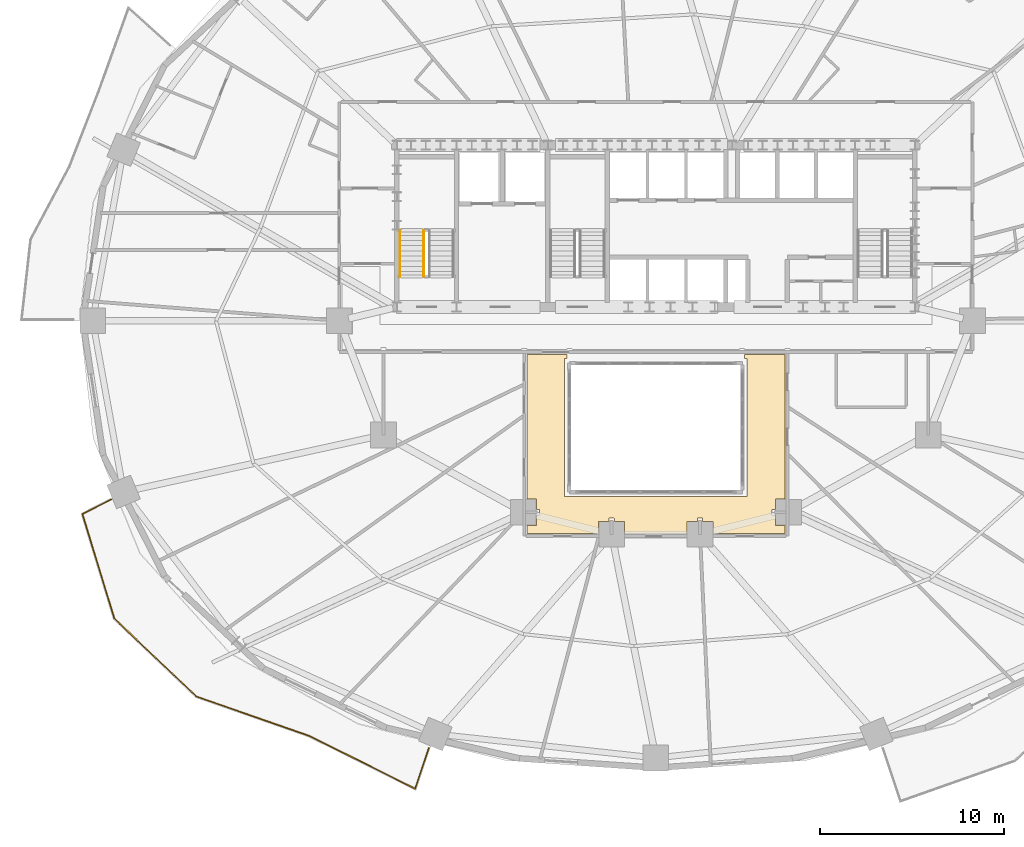
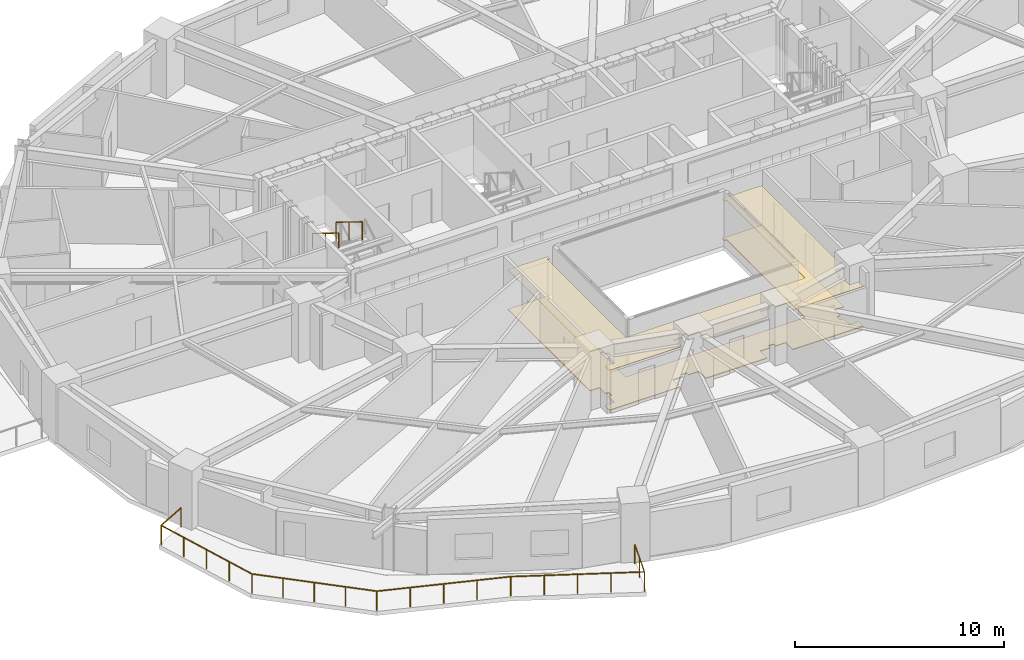
# One storey, part 14 of 17: 3 railings, 2 coverings.
"""IFC4 building model written with IfcOpenShell, lengths in metres."""

from ifc_helpers import new_model, si_unit, direction, frame, origin, origin_2d, place, context, subcontext, project, spatial, polyline, rectangle, outline, extrude, material, layer, layer_set, type_object, element, save


model = new_model("IFC4")

# Units and contexts
model_context = context("Model", 3, precision=1e-05, world=origin(), true_north=direction((0.0, 1.0)))
body_context = subcontext(model_context, "Body", "Model", "MODEL_VIEW")
ifc_project = project(units=[si_unit("LENGTHUNIT", "METRE"), si_unit("AREAUNIT", "SQUARE_METRE"), si_unit("VOLUMEUNIT", "CUBIC_METRE"), si_unit("PLANEANGLEUNIT", "RADIAN"), si_unit("MASSUNIT", "GRAM", prefix="KILO")], contexts=[model_context])

# Site, building, storey
site_placement = place(None, origin())
site = spatial("IfcSite", under=ifc_project, at=site_placement, CompositionType="ELEMENT")
building_placement = place(site_placement, origin())
building = spatial("IfcBuilding", under=site, at=building_placement, Name="Haldorwick Loom Tower", CompositionType="ELEMENT")
storey_placement = place(building_placement, frame((0.0, 0.0, 37.800048828125)))
storey = spatial("IfcBuildingStorey", under=building, at=storey_placement, Name="L09", CompositionType="ELEMENT", Elevation=37.800048828125)

# Coverings
ifc_material_1 = material(Name="Mineral Fibre Acoustic Ceiling Tile")
ifc_layer_1 = layer(ifc_material_1, 0.054931640625, Name="Mineral Fibre Acoustic Ceiling Tile")
ifc_layer_set_1 = layer_set([ifc_layer_1], Name="Mineral Fibre Acoustic Ceiling Tile")
covering_type_1 = type_object("IfcCoveringType", Name="ARC-COV-CEIL2", PredefinedType="CEILING", material=ifc_layer_set_1)
covering_1_placement = place(storey_placement, frame((0.0, 0.0, 2.302001953125)))
element("IfcCovering", 1, at=covering_1_placement, inside=storey, type_object=covering_type_1, Name="L09 Acoustic Suspended Ceiling 1", PredefinedType="CEILING", context=body_context, shape_type="SweptSolid", body=[
    extrude(outline(polyline([(40.820068359375, 24.159912109375), (40.820068359375, 23.949951171875), (40.949951171875, 23.949951171875), (40.949951171875, 16.449951171875), (31.050048828125, 16.449951171875), (31.050048828125, 23.949951171875), (31.179931640625, 23.949951171875), (31.179931640625, 24.159912109375), (28.989990234375, 24.159912109375), (28.989990234375, 16.30810546875), (29.508056640625, 16.30810546875), (29.508056640625, 15.739990234375), (29.669921875, 15.739990234375), (29.672119140625, 15.739990234375), (29.673828125, 15.739501953125), (29.67578125, 15.739013671875), (29.677734375, 15.738525390625), (29.679443359375, 15.737548828125), (29.68115234375, 15.736572265625), (29.6826171875, 15.735595703125), (29.68408203125, 15.734130859375), (29.685546875, 15.732666015625), (29.6865234375, 15.731201171875), (29.6875, 15.7294921875), (29.6884765625, 15.727783203125), (29.689208984375, 15.725830078125), (29.689697265625, 15.723876953125), (29.68994140625, 15.721923828125), (29.68994140625, 15.719970703125), (29.68994140625, 15.47998046875), (29.68994140625, 15.47802734375), (29.689697265625, 15.47607421875), (29.689208984375, 15.47412109375), (29.6884765625, 15.472412109375), (29.6875, 15.470703125), (29.6865234375, 15.468994140625), (29.685546875, 15.46728515625), (29.68408203125, 15.4658203125), (29.6826171875, 15.464599609375), (29.68115234375, 15.46337890625), (29.679443359375, 15.46240234375), (29.677734375, 15.46142578125), (29.67578125, 15.4609375), (29.673828125, 15.46044921875), (29.672119140625, 15.460205078125), (29.669921875, 15.4599609375), (29.508056640625, 15.4599609375), (29.508056640625, 14.89208984375), (28.989990234375, 14.89208984375), (28.989990234375, 14.43994140625), (32.89208984375, 14.43994140625), (32.89208984375, 15.10791015625), (33.4599609375, 15.10791015625), (33.4599609375, 15.27001953125), (33.460205078125, 15.27197265625), (33.46044921875, 15.27392578125), (33.4609375, 15.27587890625), (33.46142578125, 15.277587890625), (33.46240234375, 15.279296875), (33.46337890625, 15.281005859375), (33.464599609375, 15.28271484375), (33.4658203125, 15.2841796875), (33.46728515625, 15.285400390625), (33.468994140625, 15.28662109375), (33.470703125, 15.28759765625), (33.472412109375, 15.28857421875), (33.47412109375, 15.2890625), (33.47607421875, 15.28955078125), (33.47802734375, 15.289794921875), (33.47998046875, 15.2900390625), (33.719970703125, 15.2900390625), (33.721923828125, 15.289794921875), (33.723876953125, 15.28955078125), (33.725830078125, 15.2890625), (33.727783203125, 15.28857421875), (33.7294921875, 15.28759765625), (33.731201171875, 15.28662109375), (33.732666015625, 15.285400390625), (33.734130859375, 15.2841796875), (33.735595703125, 15.28271484375), (33.736572265625, 15.281005859375), (33.737548828125, 15.279296875), (33.738525390625, 15.277587890625), (33.739013671875, 15.27587890625), (33.739501953125, 15.27392578125), (33.739990234375, 15.27197265625), (33.739990234375, 15.27001953125), (33.739990234375, 15.10791015625), (34.30810546875, 15.10791015625), (34.30810546875, 14.43994140625), (37.69189453125, 14.43994140625), (37.69189453125, 15.10791015625), (38.259765625, 15.10791015625), (38.260009765625, 15.27001953125), (38.260009765625, 15.27197265625), (38.260498046875, 15.27392578125), (38.260986328125, 15.27587890625), (38.261474609375, 15.277587890625), (38.262451171875, 15.279296875), (38.263427734375, 15.281005859375), (38.264404296875, 15.28271484375), (38.265869140625, 15.2841796875), (38.267333984375, 15.285400390625), (38.268798828125, 15.28662109375), (38.2705078125, 15.28759765625), (38.2724609375, 15.28857421875), (38.274169921875, 15.2890625), (38.276123046875, 15.28955078125), (38.278076171875, 15.289794921875), (38.280029296875, 15.2900390625), (38.52001953125, 15.2900390625), (38.52197265625, 15.289794921875), (38.52392578125, 15.28955078125), (38.52587890625, 15.2890625), (38.527587890625, 15.28857421875), (38.529296875, 15.28759765625), (38.531005859375, 15.28662109375), (38.53271484375, 15.285400390625), (38.5341796875, 15.2841796875), (38.535400390625, 15.28271484375), (38.53662109375, 15.281005859375), (38.53759765625, 15.279296875), (38.53857421875, 15.277587890625), (38.5390625, 15.27587890625), (38.53955078125, 15.27392578125), (38.539794921875, 15.27197265625), (38.5400390625, 15.27001953125), (38.5400390625, 15.10791015625), (39.10791015625, 15.10791015625), (39.10791015625, 14.43994140625), (43.010009765625, 14.43994140625), (43.010009765625, 14.89208984375), (42.491943359375, 14.89208984375), (42.491943359375, 15.4599609375), (42.330078125, 15.4599609375), (42.327880859375, 15.460205078125), (42.326171875, 15.46044921875), (42.32421875, 15.4609375), (42.322265625, 15.46142578125), (42.320556640625, 15.46240234375), (42.31884765625, 15.46337890625), (42.3173828125, 15.464599609375), (42.31591796875, 15.4658203125), (42.314453125, 15.46728515625), (42.3134765625, 15.468994140625), (42.3125, 15.470703125), (42.3115234375, 15.472412109375), (42.310791015625, 15.47412109375), (42.310302734375, 15.47607421875), (42.31005859375, 15.47802734375), (42.31005859375, 15.47998046875), (42.31005859375, 15.719970703125), (42.31005859375, 15.721923828125), (42.310302734375, 15.723876953125), (42.310791015625, 15.725830078125), (42.3115234375, 15.727783203125), (42.3125, 15.7294921875), (42.3134765625, 15.731201171875), (42.314453125, 15.732666015625), (42.31591796875, 15.734130859375), (42.3173828125, 15.735595703125), (42.31884765625, 15.736572265625), (42.320556640625, 15.737548828125), (42.322265625, 15.738525390625), (42.32421875, 15.739013671875), (42.326171875, 15.739501953125), (42.327880859375, 15.739990234375), (42.330078125, 15.739990234375), (42.491943359375, 15.739990234375), (42.491943359375, 16.30810546875), (43.010009765625, 16.30810546875), (43.010009765625, 24.159912109375), (40.820068359375, 24.159912109375)])), origin(), (0.0, 0.0, 1.0), 0.054931640625),
])
ifc_material_2 = material(Name="Polished Aggregate Terrazzo Finish")
ifc_layer_2 = layer(ifc_material_2, 0.044921875, Name="Polished Aggregate Terrazzo Finish")
ifc_layer_set_2 = layer_set([ifc_layer_2], Name="Polished Aggregate Terrazzo Finish")
covering_type_2 = type_object("IfcCoveringType", Name="ARC-COV-FLOOR2", PredefinedType="FLOORING", material=ifc_layer_set_2)
covering_2_placement = place(storey_placement, origin())
element("IfcCovering", 2, at=covering_2_placement, inside=storey, type_object=covering_type_2, Name="L09 Floor Finish 1", PredefinedType="FLOORING", context=body_context, shape_type="SweptSolid", body=[
    extrude(outline(polyline([(40.820068359375, 24.159912109375), (40.820068359375, 23.949951171875), (40.949951171875, 23.949951171875), (40.949951171875, 16.449951171875), (31.050048828125, 16.449951171875), (31.050048828125, 23.949951171875), (31.179931640625, 23.949951171875), (31.179931640625, 24.159912109375), (28.989990234375, 24.159912109375), (28.989990234375, 16.30810546875), (29.508056640625, 16.30810546875), (29.508056640625, 15.739990234375), (29.669921875, 15.739990234375), (29.672119140625, 15.739990234375), (29.673828125, 15.739501953125), (29.67578125, 15.739013671875), (29.677734375, 15.738525390625), (29.679443359375, 15.737548828125), (29.68115234375, 15.736572265625), (29.6826171875, 15.735595703125), (29.68408203125, 15.734130859375), (29.685546875, 15.732666015625), (29.6865234375, 15.731201171875), (29.6875, 15.7294921875), (29.6884765625, 15.727783203125), (29.689208984375, 15.725830078125), (29.689697265625, 15.723876953125), (29.68994140625, 15.721923828125), (29.68994140625, 15.719970703125), (29.68994140625, 15.47998046875), (29.68994140625, 15.47802734375), (29.689697265625, 15.47607421875), (29.689208984375, 15.47412109375), (29.6884765625, 15.472412109375), (29.6875, 15.470703125), (29.6865234375, 15.468994140625), (29.685546875, 15.46728515625), (29.68408203125, 15.4658203125), (29.6826171875, 15.464599609375), (29.68115234375, 15.46337890625), (29.679443359375, 15.46240234375), (29.677734375, 15.46142578125), (29.67578125, 15.4609375), (29.673828125, 15.46044921875), (29.672119140625, 15.460205078125), (29.669921875, 15.4599609375), (29.508056640625, 15.4599609375), (29.508056640625, 14.89208984375), (28.989990234375, 14.89208984375), (28.989990234375, 14.43994140625), (32.89208984375, 14.43994140625), (32.89208984375, 15.10791015625), (33.4599609375, 15.10791015625), (33.4599609375, 15.27001953125), (33.460205078125, 15.27197265625), (33.46044921875, 15.27392578125), (33.4609375, 15.27587890625), (33.46142578125, 15.277587890625), (33.46240234375, 15.279296875), (33.46337890625, 15.281005859375), (33.464599609375, 15.28271484375), (33.4658203125, 15.2841796875), (33.46728515625, 15.285400390625), (33.468994140625, 15.28662109375), (33.470703125, 15.28759765625), (33.472412109375, 15.28857421875), (33.47412109375, 15.2890625), (33.47607421875, 15.28955078125), (33.47802734375, 15.289794921875), (33.47998046875, 15.2900390625), (33.719970703125, 15.2900390625), (33.721923828125, 15.289794921875), (33.723876953125, 15.28955078125), (33.725830078125, 15.2890625), (33.727783203125, 15.28857421875), (33.7294921875, 15.28759765625), (33.731201171875, 15.28662109375), (33.732666015625, 15.285400390625), (33.734130859375, 15.2841796875), (33.735595703125, 15.28271484375), (33.736572265625, 15.281005859375), (33.737548828125, 15.279296875), (33.738525390625, 15.277587890625), (33.739013671875, 15.27587890625), (33.739501953125, 15.27392578125), (33.739990234375, 15.27197265625), (33.739990234375, 15.27001953125), (33.739990234375, 15.10791015625), (34.30810546875, 15.10791015625), (34.30810546875, 14.43994140625), (37.69189453125, 14.43994140625), (37.69189453125, 15.10791015625), (38.259765625, 15.10791015625), (38.260009765625, 15.27001953125), (38.260009765625, 15.27197265625), (38.260498046875, 15.27392578125), (38.260986328125, 15.27587890625), (38.261474609375, 15.277587890625), (38.262451171875, 15.279296875), (38.263427734375, 15.281005859375), (38.264404296875, 15.28271484375), (38.265869140625, 15.2841796875), (38.267333984375, 15.285400390625), (38.268798828125, 15.28662109375), (38.2705078125, 15.28759765625), (38.2724609375, 15.28857421875), (38.274169921875, 15.2890625), (38.276123046875, 15.28955078125), (38.278076171875, 15.289794921875), (38.280029296875, 15.2900390625), (38.52001953125, 15.2900390625), (38.52197265625, 15.289794921875), (38.52392578125, 15.28955078125), (38.52587890625, 15.2890625), (38.527587890625, 15.28857421875), (38.529296875, 15.28759765625), (38.531005859375, 15.28662109375), (38.53271484375, 15.285400390625), (38.5341796875, 15.2841796875), (38.535400390625, 15.28271484375), (38.53662109375, 15.281005859375), (38.53759765625, 15.279296875), (38.53857421875, 15.277587890625), (38.5390625, 15.27587890625), (38.53955078125, 15.27392578125), (38.539794921875, 15.27197265625), (38.5400390625, 15.27001953125), (38.5400390625, 15.10791015625), (39.10791015625, 15.10791015625), (39.10791015625, 14.43994140625), (43.010009765625, 14.43994140625), (43.010009765625, 14.89208984375), (42.491943359375, 14.89208984375), (42.491943359375, 15.4599609375), (42.330078125, 15.4599609375), (42.327880859375, 15.460205078125), (42.326171875, 15.46044921875), (42.32421875, 15.4609375), (42.322265625, 15.46142578125), (42.320556640625, 15.46240234375), (42.31884765625, 15.46337890625), (42.3173828125, 15.464599609375), (42.31591796875, 15.4658203125), (42.314453125, 15.46728515625), (42.3134765625, 15.468994140625), (42.3125, 15.470703125), (42.3115234375, 15.472412109375), (42.310791015625, 15.47412109375), (42.310302734375, 15.47607421875), (42.31005859375, 15.47802734375), (42.31005859375, 15.47998046875), (42.31005859375, 15.719970703125), (42.31005859375, 15.721923828125), (42.310302734375, 15.723876953125), (42.310791015625, 15.725830078125), (42.3115234375, 15.727783203125), (42.3125, 15.7294921875), (42.3134765625, 15.731201171875), (42.314453125, 15.732666015625), (42.31591796875, 15.734130859375), (42.3173828125, 15.735595703125), (42.31884765625, 15.736572265625), (42.320556640625, 15.737548828125), (42.322265625, 15.738525390625), (42.32421875, 15.739013671875), (42.326171875, 15.739501953125), (42.327880859375, 15.739990234375), (42.330078125, 15.739990234375), (42.491943359375, 15.739990234375), (42.491943359375, 16.30810546875), (43.010009765625, 16.30810546875), (43.010009765625, 24.159912109375), (40.820068359375, 24.159912109375)])), origin(), (0.0, 0.0, 1.0), 0.044921875),
])

# Railings
ifc_material_3 = material(Name="Galvanized Steel CSA G40.21 350W", Category="steel")
railing_type_1 = type_object("IfcRailingType", Name="ARC-RLG-BAL115", PredefinedType="BALUSTRADE", material=ifc_material_3)
railing_1_placement = place(storey_placement, frame((23.662841796875, 2.7919921875, 0.0)))
element("IfcRailing", 3, at=railing_1_placement, inside=storey, type_object=railing_type_1, Name="L09 Outdoor Terrace Guardrail SLB-L09-BAL_SW-1", PredefinedType="BALUSTRADE", context=body_context, shape_type="SweptSolid", body=[
    extrude(rectangle(XDim=0.048095703125, YDim=0.048095703125, at=origin_2d()), frame((0.0, 0.0, 1.1259765625), z_axis=(-0.318648041884, -0.947873106171, 0.0), x_axis=(0.947873106171, -0.318648041884, 0.0)), (0.0, 0.0, 1.0), 2.3291015625),
    extrude(rectangle(XDim=0.048095703125, YDim=0.048095703125, at=origin_2d()), frame((-0.7421875, -2.207763671875, 1.1259765625), z_axis=(-0.895074166338, 0.445917298112, 0.0), x_axis=(-0.445917298112, -0.895074166338, 0.0)), (0.0, 0.0, 1.0), 6.40576171875),
    extrude(rectangle(XDim=0.048095703125, YDim=0.048095703125, at=origin_2d()), frame((-6.475830078125, 0.648681640625, 1.1259765625), z_axis=(-0.925168618375, 0.379556356256, 0.0), x_axis=(-0.379556356256, -0.925168618375, 0.0)), (0.0, 0.0, 1.0), 0.01025390625),
    extrude(rectangle(XDim=0.048095703125, YDim=0.048095703125, at=origin_2d()), frame((-6.4853515625, 0.652587890625, 1.1259765625), z_axis=(-0.944070435486, 0.329743859444, 0.0), x_axis=(-0.329743859444, -0.944070435486, 0.0)), (0.0, 0.0, 1.0), 6.5087890625),
    extrude(rectangle(XDim=0.048095703125, YDim=0.048095703125, at=origin_2d()), frame((-12.630126953125, 2.798828125, 1.1259765625), z_axis=(-0.724642252261, 0.689125247134, 0.0), x_axis=(-0.689125247134, -0.724642252261, 0.0)), (0.0, 0.0, 1.0), 6.145263671875),
    extrude(rectangle(XDim=0.048095703125, YDim=0.048095703125, at=origin_2d()), frame((-17.083251953125, 7.03369140625, 1.1259765625), z_axis=(-0.292158928936, 0.956369782167, 0.0), x_axis=(-0.956369782167, -0.292158928936, 0.0)), (0.0, 0.0, 1.0), 5.931396484375),
    extrude(rectangle(XDim=0.048095703125, YDim=0.048095703125, at=origin_2d()), frame((-18.816162109375, 12.706298828125, 1.1259765625), z_axis=(0.891307713143, 0.453398897761, 0.0), x_axis=(-0.453398897761, 0.891307713143, 0.0)), (0.0, 0.0, 1.0), 1.74951171875),
    extrude(rectangle(XDim=0.0419921875, YDim=0.0419921875, at=origin_2d()), origin(), (0.0, 0.0, 1.0), 1.101806640625),
    extrude(rectangle(XDim=0.0419921875, YDim=0.0419921875, at=origin_2d()), frame((-0.37109375, -1.10400390625, 0.0)), (0.0, 0.0, 1.0), 1.101806640625),
    extrude(rectangle(XDim=0.0419921875, YDim=0.0419921875, at=origin_2d()), frame((-0.7421875, -2.207763671875, 0.0)), (0.0, 0.0, 1.0), 1.101806640625),
    extrude(rectangle(XDim=0.0419921875, YDim=0.0419921875, at=origin_2d()), frame((-2.175537109375, -1.49365234375, 0.0)), (0.0, 0.0, 1.0), 1.101806640625),
    extrude(rectangle(XDim=0.0419921875, YDim=0.0419921875, at=origin_2d()), frame((-3.60888671875, -0.779541015625, 0.0)), (0.0, 0.0, 1.0), 1.101806640625),
    extrude(rectangle(XDim=0.0419921875, YDim=0.0419921875, at=origin_2d()), frame((-5.04248046875, -0.0654296875, 0.0)), (0.0, 0.0, 1.0), 1.101806640625),
    extrude(rectangle(XDim=0.0419921875, YDim=0.0419921875, at=origin_2d()), frame((-6.475830078125, 0.648681640625, 0.0)), (0.0, 0.0, 1.0), 1.101806640625),
    extrude(rectangle(XDim=0.0419921875, YDim=0.0419921875, at=origin_2d()), frame((-8.021484375, 1.189208984375, 0.0)), (0.0, 0.0, 1.0), 1.101806640625),
    extrude(rectangle(XDim=0.0419921875, YDim=0.0419921875, at=origin_2d()), frame((-9.5576171875, 1.7255859375, 0.0)), (0.0, 0.0, 1.0), 1.101806640625),
    extrude(rectangle(XDim=0.0419921875, YDim=0.0419921875, at=origin_2d()), frame((-11.093994140625, 2.26220703125, 0.0)), (0.0, 0.0, 1.0), 1.101806640625),
    extrude(rectangle(XDim=0.0419921875, YDim=0.0419921875, at=origin_2d()), frame((-12.630126953125, 2.798828125, 0.0)), (0.0, 0.0, 1.0), 1.101806640625),
    extrude(rectangle(XDim=0.0419921875, YDim=0.0419921875, at=origin_2d()), frame((-13.743408203125, 3.857421875, 0.0)), (0.0, 0.0, 1.0), 1.101806640625),
    extrude(rectangle(XDim=0.0419921875, YDim=0.0419921875, at=origin_2d()), frame((-14.856689453125, 4.916259765625, 0.0)), (0.0, 0.0, 1.0), 1.101806640625),
    extrude(rectangle(XDim=0.0419921875, YDim=0.0419921875, at=origin_2d()), frame((-15.969970703125, 5.97509765625, 0.0)), (0.0, 0.0, 1.0), 1.101806640625),
    extrude(rectangle(XDim=0.0419921875, YDim=0.0419921875, at=origin_2d()), frame((-17.083251953125, 7.03369140625, 0.0)), (0.0, 0.0, 1.0), 1.101806640625),
    extrude(rectangle(XDim=0.0419921875, YDim=0.0419921875, at=origin_2d()), frame((-17.5166015625, 8.451904296875, 0.0)), (0.0, 0.0, 1.0), 1.101806640625),
    extrude(rectangle(XDim=0.0419921875, YDim=0.0419921875, at=origin_2d()), frame((-17.94970703125, 9.8701171875, 0.0)), (0.0, 0.0, 1.0), 1.101806640625),
    extrude(rectangle(XDim=0.0419921875, YDim=0.0419921875, at=origin_2d()), frame((-18.3828125, 11.2880859375, 0.0)), (0.0, 0.0, 1.0), 1.101806640625),
    extrude(rectangle(XDim=0.0419921875, YDim=0.0419921875, at=origin_2d()), frame((-18.816162109375, 12.706298828125, 0.0)), (0.0, 0.0, 1.0), 1.101806640625),
    extrude(rectangle(XDim=0.0419921875, YDim=0.0419921875, at=origin_2d()), frame((-17.2568359375, 13.49951171875, 0.0)), (0.0, 0.0, 1.0), 1.101806640625),
])
ifc_material_4 = material(Name="Steel CSA G40.21 350W", Category="steel")
railing_type_2 = type_object("IfcRailingType", Name="ARC-RLG-GUARD112", PredefinedType="GUARDRAIL", material=ifc_material_4)
railing_2_placement = place(storey_placement, frame((23.39990234375, 30.919921875, 1.8974609375)))
element("IfcRailing", 4, at=railing_2_placement, inside=storey, type_object=railing_type_2, Name="L09 ST-01 stair guard 3", PredefinedType="GUARDRAIL", context=body_context, shape_type="SweptSolid", body=[
    extrude(rectangle(XDim=0.048095703125, YDim=0.048095703125, at=origin_2d()), frame((0.0, 0.0, 1.076171875), z_axis=(0.0, -0.851400495292, 0.524516154772), x_axis=(1.0, 0.0, 0.0)), (0.0, 0.0, 1.0), 2.9599609375),
    extrude(rectangle(XDim=0.0419921875, YDim=0.0419921875, at=origin_2d()), origin(), (0.0, 0.0, 1.0), 1.052001953125),
    extrude(rectangle(XDim=0.0419921875, YDim=0.0419921875, at=origin_2d()), frame((0.0, -1.260009765625, 0.7763671875)), (0.0, 0.0, 1.0), 1.052001953125),
    extrude(rectangle(XDim=0.0419921875, YDim=0.0419921875, at=origin_2d()), frame((0.0, -2.52001953125, 1.552490234375)), (0.0, 0.0, 1.0), 1.052001953125),
])
railing_type_3 = type_object("IfcRailingType", Name="ARC-RLG-HAND092", PredefinedType="HANDRAIL", material=ifc_material_4)
railing_3_placement = place(storey_placement, frame((22.10009765625, 30.919921875, 1.8974609375)))
element("IfcRailing", 5, at=railing_3_placement, inside=storey, type_object=railing_type_3, Name="L09 ST-01 stair handrail 2", PredefinedType="HANDRAIL", context=body_context, shape_type="SweptSolid", body=[
    extrude(rectangle(XDim=0.048095703125, YDim=0.048095703125, at=origin_2d()), frame((0.0, 0.0, 0.8759765625), z_axis=(0.0, -0.851400495292, 0.524516154772), x_axis=(1.0, 0.0, 0.0)), (0.0, 0.0, 1.0), 2.9599609375),
    extrude(rectangle(XDim=0.0419921875, YDim=0.0419921875, at=origin_2d()), origin(), (0.0, 0.0, 1.0), 0.851806640625),
    extrude(rectangle(XDim=0.0419921875, YDim=0.0419921875, at=origin_2d()), frame((0.0, -1.260009765625, 0.7763671875)), (0.0, 0.0, 1.0), 0.851806640625),
    extrude(rectangle(XDim=0.0419921875, YDim=0.0419921875, at=origin_2d()), frame((0.0, -2.52001953125, 1.552490234375)), (0.0, 0.0, 1.0), 0.851806640625),
])

save(model, "model.ifc")
